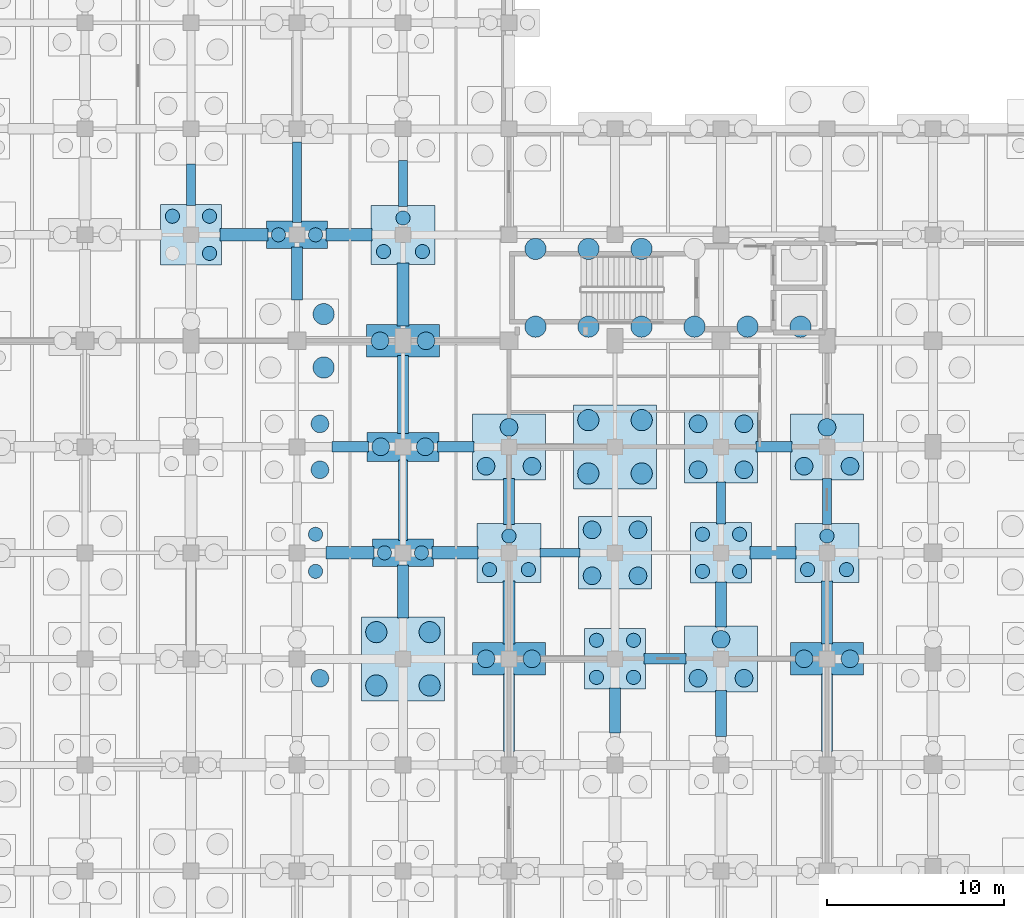
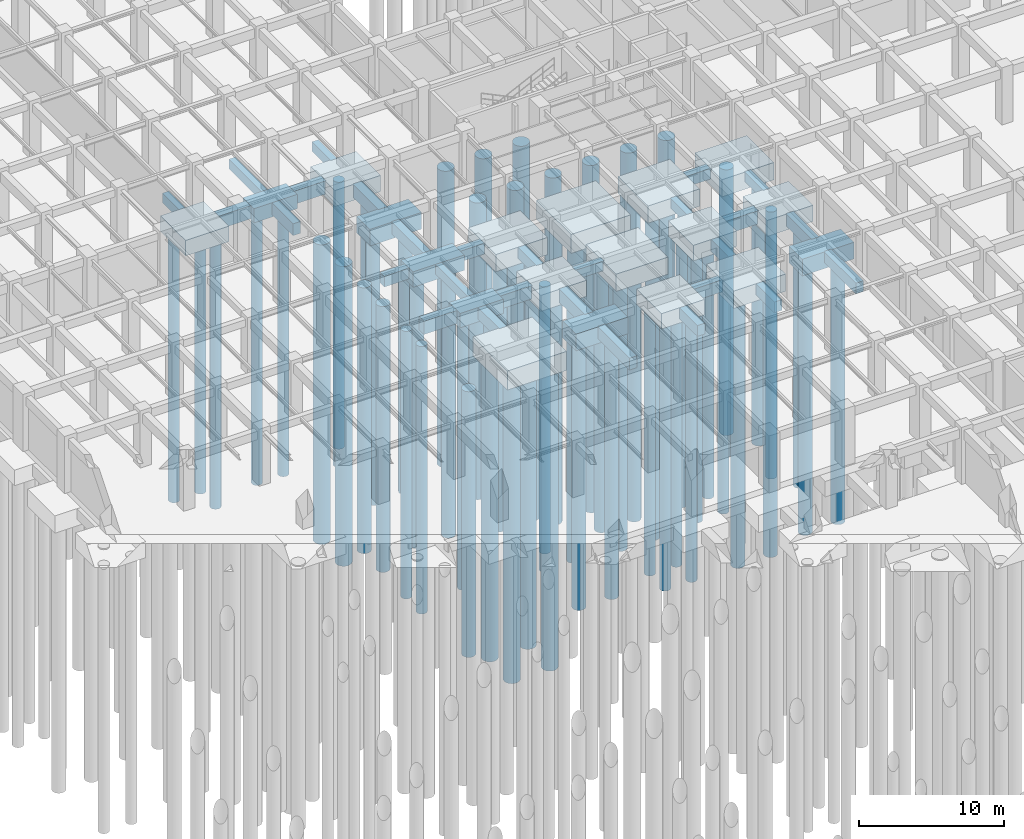
# One storey, part 10 of 54: 73 piles, 47 footings.
"""IFC4 building model written with IfcOpenShell, lengths in metres."""

from ifc_helpers import new_model, si_unit, direction, frame, origin, origin_2d, place, context, subcontext, project, spatial, rectangle, circle, extrude, material, material_profile, profile_set, type_object, element, save


model = new_model("IFC4")

# Units and contexts
model_context = context("Model", 3, precision=1e-05, world=origin(), true_north=direction((0.0, 1.0)))
body_context = subcontext(model_context, "Body", "Model", "MODEL_VIEW")
ifc_project = project(units=[si_unit("LENGTHUNIT", "METRE"), si_unit("AREAUNIT", "SQUARE_METRE"), si_unit("VOLUMEUNIT", "CUBIC_METRE"), si_unit("PLANEANGLEUNIT", "RADIAN"), si_unit("MASSUNIT", "GRAM", prefix="KILO"), si_unit("THERMODYNAMICTEMPERATUREUNIT", "KELVIN"), si_unit("POWERUNIT", "WATT")], contexts=[model_context])

# Site, building, storey
site_placement = place(None, origin())
site = spatial("IfcSite", under=ifc_project, at=site_placement, CompositionType="ELEMENT")
building_placement = place(site_placement, origin())
building = spatial("IfcBuilding", under=site, at=building_placement, Name="Phaisarnlok Congress Hotel", CompositionType="ELEMENT")
storey_placement = place(building_placement, frame((0.0, 0.0, -4.800048828125)))
storey = spatial("IfcBuildingStorey", under=building, at=storey_placement, Name="B01", CompositionType="ELEMENT", Elevation=-4.800048828125)

# Footings
ifc_material_1 = material(Name="Concrete C40/50", Category="concrete")
footing_type_1 = type_object("IfcFootingType", Name="CAP-2P-A", PredefinedType="PILE_CAP", material=ifc_material_1)
for number, where, z_axis, x_axis, name in (
    (1, (30.0, 90.0, -1.69970703125), (0.0, 0.0, 1.0), (1.0, 0.0, 0.0), "Pile cap PC-01 at (30,90)"),
    (2, (36.0, 72.0, -1.69970703125), (0.0, 0.0, 1.0), (1.0, 0.0, 0.0), "Pile cap PC-01 at (36,72)"),
):
    element("IfcFooting", number, at=place(storey_placement, frame(where, z_axis=z_axis, x_axis=x_axis)), inside=storey, type_object=footing_type_1, Name=name, PredefinedType="PILE_CAP", context=body_context, shape_type="SweptSolid", body=[
        extrude(rectangle(XDim=3.43994140625, YDim=1.5400390625, at=origin_2d()), origin(), (0.0, 0.0, 1.0), 1.199951171875),
    ])
footing_type_2 = type_object("IfcFootingType", Name="CAP-2P-B", PredefinedType="PILE_CAP", material=ifc_material_1)
footing_1_placement = place(storey_placement, frame((36.0, 78.0, -1.7998046875), z_axis=(0.0, 0.0, 1.0), x_axis=(1.0, 0.0, 0.0)))
element("IfcFooting", 3, at=footing_1_placement, inside=storey, type_object=footing_type_2, Name="Pile cap PC-02 at (36,78)", PredefinedType="PILE_CAP", context=body_context, shape_type="SweptSolid", body=[
    extrude(rectangle(XDim=4.080078125, YDim=1.639892578125, at=origin_2d()), origin(), (0.0, 0.0, 1.0), 1.300048828125),
])
footing_type_3 = type_object("IfcFootingType", Name="CAP-2P-C", PredefinedType="PILE_CAP", material=ifc_material_1)
for number, where, z_axis, x_axis, name in (
    (4, (36.0, 84.0, -1.89990234375), (0.0, 0.0, 1.0), (1.0, 0.0, 0.0), "Pile cap PC-03 at (36,84)"),
    (5, (42.0, 66.0, -1.89990234375), (0.0, 0.0, 1.0), (1.0, 0.0, 0.0), "Pile cap PC-03 at (42,66)"),
    (6, (60.0, 66.0, -1.89990234375), (0.0, 0.0, 1.0), (1.0, 0.0, 0.0), "Pile cap PC-03 at (60,66)"),
):
    element("IfcFooting", number, at=place(storey_placement, frame(where, z_axis=z_axis, x_axis=x_axis)), inside=storey, type_object=footing_type_3, Name=name, PredefinedType="PILE_CAP", context=body_context, shape_type="SweptSolid", body=[
        extrude(rectangle(XDim=4.1201171875, YDim=1.840087890625, at=origin_2d()), origin(), (0.0, 0.0, 1.0), 1.39990234375),
    ])
footing_type_4 = type_object("IfcFootingType", Name="CAP-3P-A", PredefinedType="PILE_CAP", material=ifc_material_1)
for number, where, z_axis, x_axis, name in (
    (7, (36.0, 90.0, -1.85009765625), (0.0, 0.0, 1.0), (1.0, 0.0, 0.0), "Pile cap PC-04 at (36,90)"),
    (8, (42.0, 72.0, -1.85009765625), (0.0, 0.0, 1.0), (1.0, 0.0, 0.0), "Pile cap PC-04 at (42,72)"),
    (9, (60.0, 72.0, -1.85009765625), (0.0, 0.0, 1.0), (1.0, 0.0, 0.0), "Pile cap PC-04 at (60,72)"),
):
    element("IfcFooting", number, at=place(storey_placement, frame(where, z_axis=z_axis, x_axis=x_axis)), inside=storey, type_object=footing_type_4, Name=name, PredefinedType="PILE_CAP", context=body_context, shape_type="SweptSolid", body=[
        extrude(rectangle(XDim=3.639892578125, YDim=3.340087890625, at=origin_2d()), origin(), (0.0, 0.0, 1.0), 1.35009765625),
    ])
footing_type_5 = type_object("IfcFootingType", Name="CAP-3P-B", PredefinedType="PILE_CAP", material=ifc_material_1)
for number, where, z_axis, x_axis, name in (
    (10, (42.0, 78.0, -1.94970703125), (0.0, 0.0, 1.0), (1.0, 0.0, 0.0), "Pile cap PC-05 at (42,78)"),
    (11, (54.0, 66.0, -1.94970703125), (0.0, 0.0, 1.0), (1.0, 0.0, 0.0), "Pile cap PC-05 at (54,66)"),
    (12, (60.0, 78.0, -1.94970703125), (0.0, 0.0, 1.0), (1.0, 0.0, 0.0), "Pile cap PC-05 at (60,78)"),
):
    element("IfcFooting", number, at=place(storey_placement, frame(where, z_axis=z_axis, x_axis=x_axis)), inside=storey, type_object=footing_type_5, Name=name, PredefinedType="PILE_CAP", context=body_context, shape_type="SweptSolid", body=[
        extrude(rectangle(XDim=4.1201171875, YDim=3.739990234375, at=origin_2d()), origin(), (0.0, 0.0, 1.0), 1.449951171875),
    ])
footing_type_6 = type_object("IfcFootingType", Name="CAP-4P-A", PredefinedType="PILE_CAP", material=ifc_material_1)
for number, where, z_axis, x_axis, name in (
    (13, (24.0, 90.0, -1.7998046875), (0.0, 0.0, 1.0), (1.0, 0.0, 0.0), "Pile cap PC-06 at (24,90)"),
    (14, (48.0, 66.0, -1.7998046875), (0.0, 0.0, 1.0), (1.0, 0.0, 0.0), "Pile cap PC-06 at (48,66)"),
    (15, (54.0, 72.0, -1.7998046875), (0.0, 0.0, 1.0), (1.0, 0.0, 0.0), "Pile cap PC-06 at (54,72)"),
):
    element("IfcFooting", number, at=place(storey_placement, frame(where, z_axis=z_axis, x_axis=x_axis)), inside=storey, type_object=footing_type_6, Name=name, PredefinedType="PILE_CAP", context=body_context, shape_type="SweptSolid", body=[
        extrude(rectangle(XDim=3.43994140625, YDim=3.43994140625, at=origin_2d()), origin(), (0.0, 0.0, 1.0), 1.300048828125),
    ])
footing_type_7 = type_object("IfcFootingType", Name="CAP-4P-B", PredefinedType="PILE_CAP", material=ifc_material_1)
for number, where, z_axis, x_axis, name in (
    (16, (48.0, 72.0, -1.94970703125), (0.0, 0.0, 1.0), (1.0, 0.0, 0.0), "Pile cap PC-07 at (48,72)"),
    (17, (54.0, 78.0, -1.94970703125), (0.0, 0.0, 1.0), (1.0, 0.0, 0.0), "Pile cap PC-07 at (54,78)"),
):
    element("IfcFooting", number, at=place(storey_placement, frame(where, z_axis=z_axis, x_axis=x_axis)), inside=storey, type_object=footing_type_7, Name=name, PredefinedType="PILE_CAP", context=body_context, shape_type="SweptSolid", body=[
        extrude(rectangle(XDim=4.1201171875, YDim=4.1201171875, at=origin_2d()), origin(), (0.0, 0.0, 1.0), 1.449951171875),
    ])
footing_type_8 = type_object("IfcFootingType", Name="CAP-4P-C", PredefinedType="PILE_CAP", material=ifc_material_1)
for number, where, z_axis, x_axis, name in (
    (18, (36.0, 66.0, -2.10009765625), (0.0, 0.0, 1.0), (1.0, 0.0, 0.0), "Pile cap PC-08 at (36,66)"),
    (19, (48.0, 78.0, -2.10009765625), (0.0, 0.0, 1.0), (1.0, 0.0, 0.0), "Pile cap PC-08 at (48,78)"),
):
    element("IfcFooting", number, at=place(storey_placement, frame(where, z_axis=z_axis, x_axis=x_axis)), inside=storey, type_object=footing_type_8, Name=name, PredefinedType="PILE_CAP", context=body_context, shape_type="SweptSolid", body=[
        extrude(rectangle(XDim=4.719970703125, YDim=4.760009765625, at=origin_2d()), origin(), (0.0, 0.0, 1.0), 1.60009765625),
    ])
ifc_material_profile_1 = material_profile(ifc_material_1, rectangle(XDim=0.5, YDim=0.800048828125, at=origin_2d()), Name="FB-500x800")
ifc_profile_set_1 = profile_set([ifc_material_profile_1], Name="Concrete C40/50")
footing_type_9 = type_object("IfcFootingType", Name="FB-500x800", PredefinedType="FOOTING_BEAM", material=ifc_profile_set_1)
footing_2_placement = place(storey_placement, frame((24.0, 91.64501953125, -0.89990234375), z_axis=(0.0, 1.0, 0.0), x_axis=(-1.0, 0.0, 0.0)))
element("IfcFooting", 20, at=footing_2_placement, inside=storey, type_object=footing_type_9, Name="Ground tie beam FB-01", PredefinedType="FOOTING_BEAM", context=body_context, shape_type="SweptSolid", body=[
    extrude(rectangle(XDim=0.5, YDim=0.800048828125, at=origin_2d()), origin(), (0.0, 0.0, 1.0), 2.369873046875),
])
for number, where, z_axis, x_axis, name in (
    (21, (30.0, 90.695068359375, -0.89990234375), (0.0, 1.0, 0.0), (-1.0, 0.0, 0.0), "Ground tie beam FB-01"),
    (22, (36.0, 72.695068359375, -0.89990234375), (0.0, 1.0, 0.0), (-1.0, 0.0, 0.0), "Ground tie beam FB-01"),
):
    element("IfcFooting", number, at=place(storey_placement, frame(where, z_axis=z_axis, x_axis=x_axis)), inside=storey, type_object=footing_type_9, Name=name, PredefinedType="FOOTING_BEAM", context=body_context, shape_type="SweptSolid", body=[
        extrude(rectangle(XDim=0.5, YDim=0.800048828125, at=origin_2d()), origin(), (0.0, 0.0, 1.0), 4.559814453125),
    ])
footing_3_placement = place(storey_placement, frame((36.0, 91.594970703125, -0.89990234375), z_axis=(0.0, 1.0, 0.0), x_axis=(-1.0, 0.0, 0.0)))
element("IfcFooting", 23, at=footing_3_placement, inside=storey, type_object=footing_type_9, Name="Ground tie beam FB-01", PredefinedType="FOOTING_BEAM", context=body_context, shape_type="SweptSolid", body=[
    extrude(rectangle(XDim=0.5, YDim=0.800048828125, at=origin_2d()), origin(), (0.0, 0.0, 1.0), 2.610107421875),
])
footing_4_placement = place(storey_placement, frame((43.7451171875, 72.0, -0.89990234375), z_axis=(1.0, 0.0, 0.0), x_axis=(0.0, 1.0, 0.0)))
element("IfcFooting", 24, at=footing_4_placement, inside=storey, type_object=footing_type_9, Name="Ground tie beam FB-01", PredefinedType="FOOTING_BEAM", context=body_context, shape_type="SweptSolid", body=[
    extrude(rectangle(XDim=0.5, YDim=0.800048828125, at=origin_2d()), origin(), (0.0, 0.0, 1.0), 2.269775390625),
])
footing_5_placement = place(storey_placement, frame((54.0, 73.64501953125, -0.89990234375), z_axis=(0.0, 1.0, 0.0), x_axis=(-1.0, 0.0, 0.0)))
element("IfcFooting", 25, at=footing_5_placement, inside=storey, type_object=footing_type_9, Name="Ground tie beam FB-01", PredefinedType="FOOTING_BEAM", context=body_context, shape_type="SweptSolid", body=[
    extrude(rectangle(XDim=0.5, YDim=0.800048828125, at=origin_2d()), origin(), (0.0, 0.0, 1.0), 2.369873046875),
])
footing_6_placement = place(storey_placement, frame((60.0, 73.594970703125, -0.89990234375), z_axis=(0.0, 1.0, 0.0), x_axis=(-1.0, 0.0, 0.0)))
element("IfcFooting", 26, at=footing_6_placement, inside=storey, type_object=footing_type_9, Name="Ground tie beam FB-01", PredefinedType="FOOTING_BEAM", context=body_context, shape_type="SweptSolid", body=[
    extrude(rectangle(XDim=0.5, YDim=0.800048828125, at=origin_2d()), origin(), (0.0, 0.0, 1.0), 2.610107421875),
])
ifc_material_profile_2 = material_profile(ifc_material_1, rectangle(XDim=0.60009765625, YDim=1.0, at=origin_2d()), Name="FB-600x1000")
ifc_profile_set_2 = profile_set([ifc_material_profile_2], Name="Concrete C40/50")
footing_type_10 = type_object("IfcFootingType", Name="FB-600x1000", PredefinedType="FOOTING_BEAM", material=ifc_profile_set_2)
for number, where, z_axis, x_axis, name in (
    (27, (30.0, 86.304931640625, -1.0), (0.0, 1.0, 0.0), (-1.0, 0.0, 0.0), "Ground tie beam FB-03"),
    (28, (36.0, 68.304931640625, -1.0), (0.0, 1.0, 0.0), (-1.0, 0.0, 0.0), "Ground tie beam FB-03"),
):
    element("IfcFooting", number, at=place(storey_placement, frame(where, z_axis=z_axis, x_axis=x_axis)), inside=storey, type_object=footing_type_10, Name=name, PredefinedType="FOOTING_BEAM", context=body_context, shape_type="SweptSolid", body=[
        extrude(rectangle(XDim=0.60009765625, YDim=1.0, at=origin_2d()), origin(), (0.0, 0.0, 1.0), 3.0),
    ])
for number, where, z_axis, x_axis, name in (
    (29, (36.0, 78.7451171875, -1.0), (0.0, 1.0, 0.0), (-1.0, 0.0, 0.0), "Ground tie beam FB-03"),
    (30, (42.0, 60.7451171875, -1.0), (0.0, 1.0, 0.0), (-1.0, 0.0, 0.0), "Ground tie beam FB-03"),
):
    element("IfcFooting", number, at=place(storey_placement, frame(where, z_axis=z_axis, x_axis=x_axis)), inside=storey, type_object=footing_type_10, Name=name, PredefinedType="FOOTING_BEAM", context=body_context, shape_type="SweptSolid", body=[
        extrude(rectangle(XDim=0.60009765625, YDim=1.0, at=origin_2d()), origin(), (0.0, 0.0, 1.0), 4.409912109375),
    ])
footing_7_placement = place(storey_placement, frame((49.64501953125, 66.0, -1.0), z_axis=(1.0, 0.0, 0.0), x_axis=(0.0, 1.0, 0.0)))
element("IfcFooting", 31, at=footing_7_placement, inside=storey, type_object=footing_type_10, Name="Ground tie beam FB-03", PredefinedType="FOOTING_BEAM", context=body_context, shape_type="SweptSolid", body=[
    extrude(rectangle(XDim=0.60009765625, YDim=1.0, at=origin_2d()), origin(), (0.0, 0.0, 1.0), 2.369873046875),
])
footing_8_placement = place(storey_placement, frame((54.0, 67.794921875, -1.0), z_axis=(0.0, 1.0, 0.0), x_axis=(-1.0, 0.0, 0.0)))
element("IfcFooting", 32, at=footing_8_placement, inside=storey, type_object=footing_type_10, Name="Ground tie beam FB-03", PredefinedType="FOOTING_BEAM", context=body_context, shape_type="SweptSolid", body=[
    extrude(rectangle(XDim=0.60009765625, YDim=1.0, at=origin_2d()), origin(), (0.0, 0.0, 1.0), 2.56005859375),
])
footing_9_placement = place(storey_placement, frame((60.0, 66.844970703125, -1.0), z_axis=(0.0, 1.0, 0.0), x_axis=(-1.0, 0.0, 0.0)))
element("IfcFooting", 33, at=footing_9_placement, inside=storey, type_object=footing_type_10, Name="Ground tie beam FB-03", PredefinedType="FOOTING_BEAM", context=body_context, shape_type="SweptSolid", body=[
    extrude(rectangle(XDim=0.60009765625, YDim=1.0, at=origin_2d()), origin(), (0.0, 0.0, 1.0), 3.56005859375),
])
ifc_material_profile_3 = material_profile(ifc_material_1, rectangle(XDim=0.60009765625, YDim=0.89990234375, at=origin_2d()), Name="FB-600x900")
ifc_profile_set_3 = profile_set([ifc_material_profile_3], Name="Concrete C40/50")
footing_type_11 = type_object("IfcFootingType", Name="FB-600x900", PredefinedType="FOOTING_BEAM", material=ifc_profile_set_3)
for number, where, z_axis, x_axis, name in (
    (34, (31.985107421875, 78.0, -0.949951171875), (1.0, 0.0, 0.0), (0.0, 1.0, 0.0), "Ground tie beam FB-02"),
    (35, (37.965087890625, 78.0, -0.949951171875), (1.0, 0.0, 0.0), (0.0, 1.0, 0.0), "Ground tie beam FB-02"),
):
    element("IfcFooting", number, at=place(storey_placement, frame(where, z_axis=z_axis, x_axis=x_axis)), inside=storey, type_object=footing_type_11, Name=name, PredefinedType="FOOTING_BEAM", context=body_context, shape_type="SweptSolid", body=[
        extrude(rectangle(XDim=0.60009765625, YDim=0.89990234375, at=origin_2d()), origin(), (0.0, 0.0, 1.0), 2.0498046875),
    ])
footing_10_placement = place(storey_placement, frame((42.0, 73.594970703125, -0.949951171875), z_axis=(0.0, 1.0, 0.0), x_axis=(-1.0, 0.0, 0.0)))
element("IfcFooting", 36, at=footing_10_placement, inside=storey, type_object=footing_type_11, Name="Ground tie beam FB-02", PredefinedType="FOOTING_BEAM", context=body_context, shape_type="SweptSolid", body=[
    extrude(rectangle(XDim=0.60009765625, YDim=0.89990234375, at=origin_2d()), origin(), (0.0, 0.0, 1.0), 2.610107421875),
])
footing_11_placement = place(storey_placement, frame((48.0, 61.794921875, -0.949951171875), z_axis=(0.0, 1.0, 0.0), x_axis=(-1.0, 0.0, 0.0)))
element("IfcFooting", 37, at=footing_11_placement, inside=storey, type_object=footing_type_11, Name="Ground tie beam FB-02", PredefinedType="FOOTING_BEAM", context=body_context, shape_type="SweptSolid", body=[
    extrude(rectangle(XDim=0.60009765625, YDim=0.89990234375, at=origin_2d()), origin(), (0.0, 0.0, 1.0), 2.56005859375),
])
footing_12_placement = place(storey_placement, frame((54.0, 61.594970703125, -0.949951171875), z_axis=(0.0, 1.0, 0.0), x_axis=(-1.0, 0.0, 0.0)))
element("IfcFooting", 38, at=footing_12_placement, inside=storey, type_object=footing_type_11, Name="Ground tie beam FB-02", PredefinedType="FOOTING_BEAM", context=body_context, shape_type="SweptSolid", body=[
    extrude(rectangle(XDim=0.60009765625, YDim=0.89990234375, at=origin_2d()), origin(), (0.0, 0.0, 1.0), 2.610107421875),
])
footing_13_placement = place(storey_placement, frame((55.985107421875, 78.0, -0.949951171875), z_axis=(1.0, 0.0, 0.0), x_axis=(0.0, 1.0, 0.0)))
element("IfcFooting", 39, at=footing_13_placement, inside=storey, type_object=footing_type_11, Name="Ground tie beam FB-02", PredefinedType="FOOTING_BEAM", context=body_context, shape_type="SweptSolid", body=[
    extrude(rectangle(XDim=0.60009765625, YDim=0.89990234375, at=origin_2d()), origin(), (0.0, 0.0, 1.0), 2.02978515625),
])
footing_14_placement = place(storey_placement, frame((60.0, 60.7451171875, -0.949951171875), z_axis=(0.0, 1.0, 0.0), x_axis=(-1.0, 0.0, 0.0)))
element("IfcFooting", 40, at=footing_14_placement, inside=storey, type_object=footing_type_11, Name="Ground tie beam FB-02", PredefinedType="FOOTING_BEAM", context=body_context, shape_type="SweptSolid", body=[
    extrude(rectangle(XDim=0.60009765625, YDim=0.89990234375, at=origin_2d()), origin(), (0.0, 0.0, 1.0), 4.409912109375),
])
ifc_material_profile_4 = material_profile(ifc_material_1, rectangle(XDim=0.699951171875, YDim=1.10009765625, at=origin_2d()), Name="FB-700x1100")
ifc_profile_set_4 = profile_set([ifc_material_profile_4], Name="Concrete C40/50")
footing_type_12 = type_object("IfcFootingType", Name="FB-700x1100", PredefinedType="FOOTING_BEAM", material=ifc_profile_set_4)
for number, where, z_axis, x_axis, name in (
    (41, (25.64501953125, 90.0, -1.050048828125), (1.0, 0.0, 0.0), (0.0, 1.0, 0.0), "Ground tie beam FB-04"),
    (42, (31.64501953125, 72.0, -1.050048828125), (1.0, 0.0, 0.0), (0.0, 1.0, 0.0), "Ground tie beam FB-04"),
):
    element("IfcFooting", number, at=place(storey_placement, frame(where, z_axis=z_axis, x_axis=x_axis)), inside=storey, type_object=footing_type_12, Name=name, PredefinedType="FOOTING_BEAM", context=body_context, shape_type="SweptSolid", body=[
        extrude(rectangle(XDim=0.699951171875, YDim=1.10009765625, at=origin_2d()), origin(), (0.0, 0.0, 1.0), 2.7099609375),
    ])
for number, where, z_axis, x_axis, name in (
    (43, (31.64501953125, 90.0, -1.050048828125), (1.0, 0.0, 0.0), (0.0, 1.0, 0.0), "Ground tie beam FB-04"),
    (44, (37.64501953125, 72.0, -1.050048828125), (1.0, 0.0, 0.0), (0.0, 1.0, 0.0), "Ground tie beam FB-04"),
):
    element("IfcFooting", number, at=place(storey_placement, frame(where, z_axis=z_axis, x_axis=x_axis)), inside=storey, type_object=footing_type_12, Name=name, PredefinedType="FOOTING_BEAM", context=body_context, shape_type="SweptSolid", body=[
        extrude(rectangle(XDim=0.699951171875, YDim=1.10009765625, at=origin_2d()), origin(), (0.0, 0.0, 1.0), 2.60986328125),
    ])
for number, where, z_axis, x_axis, name in (
    (45, (36.0, 84.844970703125, -1.050048828125), (0.0, 1.0, 0.0), (-1.0, 0.0, 0.0), "Ground tie beam FB-04"),
    (46, (42.0, 66.844970703125, -1.050048828125), (0.0, 1.0, 0.0), (-1.0, 0.0, 0.0), "Ground tie beam FB-04"),
):
    element("IfcFooting", number, at=place(storey_placement, frame(where, z_axis=z_axis, x_axis=x_axis)), inside=storey, type_object=footing_type_12, Name=name, PredefinedType="FOOTING_BEAM", context=body_context, shape_type="SweptSolid", body=[
        extrude(rectangle(XDim=0.699951171875, YDim=1.10009765625, at=origin_2d()), origin(), (0.0, 0.0, 1.0), 3.56005859375),
    ])
footing_15_placement = place(storey_placement, frame((55.64501953125, 72.0, -1.050048828125), z_axis=(1.0, 0.0, 0.0), x_axis=(0.0, 1.0, 0.0)))
element("IfcFooting", 47, at=footing_15_placement, inside=storey, type_object=footing_type_12, Name="Ground tie beam FB-04", PredefinedType="FOOTING_BEAM", context=body_context, shape_type="SweptSolid", body=[
    extrude(rectangle(XDim=0.699951171875, YDim=1.10009765625, at=origin_2d()), origin(), (0.0, 0.0, 1.0), 2.60986328125),
])

# Piles
ifc_material_2 = material(Name="Concrete C35/45", Category="concrete")
ifc_material_profile_5 = material_profile(ifc_material_2, circle(Radius=0.5, at=origin_2d()), Name="BORED PILE D1000")
ifc_profile_set_5 = profile_set([ifc_material_profile_5], Name="Concrete C35/45")
pile_type_1 = type_object("IfcPileType", Name="PILE-D1000", PredefinedType="BORED", material=ifc_profile_set_5)
for number, where, z_axis, x_axis, name in (
    (48, (31.300048828125, 64.89990234375, -1.849853515625), (0.0, 0.0, -1.0), (1.0, 0.0, 0.0), "Bored pile PL-02 (FTG-B01-030-066-2)"),
    (49, (31.300048828125, 76.699951171875, -1.849853515625), (0.0, 0.0, -1.0), (1.0, 0.0, 0.0), "Bored pile PL-02 (FTG-B01-030-078-2)"),
    (50, (31.300048828125, 79.300048828125, -1.849853515625), (0.0, 0.0, -1.0), (1.0, 0.0, 0.0), "Bored pile PL-02 (FTG-B01-030-078-4)"),
):
    element("IfcPile", number, at=place(storey_placement, frame(where, z_axis=z_axis, x_axis=x_axis)), inside=storey, type_object=pile_type_1, Name=name, PredefinedType="BORED", context=body_context, shape_type="SweptSolid", body=[
        extrude(circle(Radius=0.5, at=origin_2d()), origin(), (0.0, 0.0, 1.0), 22.35009765625),
    ])
for number, where, z_axis, x_axis, name in (
    (51, (34.739990234375, 78.0, -1.699951171875), (0.0, 0.0, -1.0), (1.0, 0.0, 0.0), "Bored pile PL-02 (FTG-B01-036-078-1)"),
    (52, (37.260009765625, 78.0, -1.699951171875), (0.0, 0.0, -1.0), (1.0, 0.0, 0.0), "Bored pile PL-02 (FTG-B01-036-078-2)"),
):
    element("IfcPile", number, at=place(storey_placement, frame(where, z_axis=z_axis, x_axis=x_axis)), inside=storey, type_object=pile_type_1, Name=name, PredefinedType="BORED", context=body_context, shape_type="SweptSolid", body=[
        extrude(circle(Radius=0.5, at=origin_2d()), origin(), (0.0, 0.0, 1.0), 22.5),
    ])
for number, where, z_axis, x_axis, name in (
    (53, (34.699951171875, 84.0, -1.800048828125), (0.0, 0.0, -1.0), (1.0, 0.0, 0.0), "Bored pile PL-02 (FTG-B01-036-084-1)"),
    (54, (37.300048828125, 84.0, -1.800048828125), (0.0, 0.0, -1.0), (1.0, 0.0, 0.0), "Bored pile PL-02 (FTG-B01-036-084-2)"),
    (55, (40.699951171875, 66.0, -1.800048828125), (0.0, 0.0, -1.0), (1.0, 0.0, 0.0), "Bored pile PL-02 (FTG-B01-042-066-1)"),
    (56, (43.300048828125, 66.0, -1.800048828125), (0.0, 0.0, -1.0), (1.0, 0.0, 0.0), "Bored pile PL-02 (FTG-B01-042-066-2)"),
):
    element("IfcPile", number, at=place(storey_placement, frame(where, z_axis=z_axis, x_axis=x_axis)), inside=storey, type_object=pile_type_1, Name=name, PredefinedType="BORED", context=body_context, shape_type="SweptSolid", body=[
        extrude(circle(Radius=0.5, at=origin_2d()), origin(), (0.0, 0.0, 1.0), 22.39990234375),
    ])
for number, where, z_axis, x_axis, name in (
    (57, (40.699951171875, 76.89990234375, -1.849853515625), (0.0, 0.0, -1.0), (1.0, 0.0, 0.0), "Bored pile PL-02 (FTG-B01-042-078-1)"),
    (58, (43.300048828125, 76.89990234375, -1.849853515625), (0.0, 0.0, -1.0), (1.0, 0.0, 0.0), "Bored pile PL-02 (FTG-B01-042-078-2)"),
    (59, (42.0, 79.10009765625, -1.849853515625), (0.0, 0.0, -1.0), (1.0, 0.0, 0.0), "Bored pile PL-02 (FTG-B01-042-078-3)"),
    (60, (46.699951171875, 70.699951171875, -1.849853515625), (0.0, 0.0, -1.0), (1.0, 0.0, 0.0), "Bored pile PL-02 (FTG-B01-048-072-1)"),
    (61, (49.300048828125, 70.699951171875, -1.849853515625), (0.0, 0.0, -1.0), (1.0, 0.0, 0.0), "Bored pile PL-02 (FTG-B01-048-072-2)"),
    (62, (46.699951171875, 73.300048828125, -1.849853515625), (0.0, 0.0, -1.0), (1.0, 0.0, 0.0), "Bored pile PL-02 (FTG-B01-048-072-3)"),
    (63, (49.300048828125, 73.300048828125, -1.849853515625), (0.0, 0.0, -1.0), (1.0, 0.0, 0.0), "Bored pile PL-02 (FTG-B01-048-072-4)"),
    (64, (52.699951171875, 64.89990234375, -1.849853515625), (0.0, 0.0, -1.0), (1.0, 0.0, 0.0), "Bored pile PL-02 (FTG-B01-054-066-1)"),
    (65, (55.300048828125, 64.89990234375, -1.849853515625), (0.0, 0.0, -1.0), (1.0, 0.0, 0.0), "Bored pile PL-02 (FTG-B01-054-066-2)"),
    (66, (54.0, 67.10009765625, -1.849853515625), (0.0, 0.0, -1.0), (1.0, 0.0, 0.0), "Bored pile PL-02 (FTG-B01-054-066-3)"),
    (67, (52.699951171875, 76.699951171875, -1.849853515625), (0.0, 0.0, -1.0), (1.0, 0.0, 0.0), "Bored pile PL-02 (FTG-B01-054-078-1)"),
    (68, (55.300048828125, 76.699951171875, -1.849853515625), (0.0, 0.0, -1.0), (1.0, 0.0, 0.0), "Bored pile PL-02 (FTG-B01-054-078-2)"),
    (69, (52.699951171875, 79.300048828125, -1.849853515625), (0.0, 0.0, -1.0), (1.0, 0.0, 0.0), "Bored pile PL-02 (FTG-B01-054-078-3)"),
    (70, (55.300048828125, 79.300048828125, -1.849853515625), (0.0, 0.0, -1.0), (1.0, 0.0, 0.0), "Bored pile PL-02 (FTG-B01-054-078-4)"),
):
    element("IfcPile", number, at=place(storey_placement, frame(where, z_axis=z_axis, x_axis=x_axis)), inside=storey, type_object=pile_type_1, Name=name, PredefinedType="BORED", context=body_context, shape_type="SweptSolid", body=[
        extrude(circle(Radius=0.5, at=origin_2d()), origin(), (0.0, 0.0, 1.0), 22.35009765625),
    ])
for number, where, z_axis, x_axis, name in (
    (71, (58.699951171875, 66.0, -1.800048828125), (0.0, 0.0, -1.0), (1.0, 0.0, 0.0), "Bored pile PL-02 (FTG-B01-060-066-1)"),
    (72, (61.300048828125, 66.0, -1.800048828125), (0.0, 0.0, -1.0), (1.0, 0.0, 0.0), "Bored pile PL-02 (FTG-B01-060-066-2)"),
):
    element("IfcPile", number, at=place(storey_placement, frame(where, z_axis=z_axis, x_axis=x_axis)), inside=storey, type_object=pile_type_1, Name=name, PredefinedType="BORED", context=body_context, shape_type="SweptSolid", body=[
        extrude(circle(Radius=0.5, at=origin_2d()), origin(), (0.0, 0.0, 1.0), 22.39990234375),
    ])
for number, where, z_axis, x_axis, name in (
    (73, (58.699951171875, 76.89990234375, -1.849853515625), (0.0, 0.0, -1.0), (1.0, 0.0, 0.0), "Bored pile PL-02 (FTG-B01-060-078-1)"),
    (74, (61.300048828125, 76.89990234375, -1.849853515625), (0.0, 0.0, -1.0), (1.0, 0.0, 0.0), "Bored pile PL-02 (FTG-B01-060-078-2)"),
    (75, (60.0, 79.10009765625, -1.849853515625), (0.0, 0.0, -1.0), (1.0, 0.0, 0.0), "Bored pile PL-02 (FTG-B01-060-078-3)"),
):
    element("IfcPile", number, at=place(storey_placement, frame(where, z_axis=z_axis, x_axis=x_axis)), inside=storey, type_object=pile_type_1, Name=name, PredefinedType="BORED", context=body_context, shape_type="SweptSolid", body=[
        extrude(circle(Radius=0.5, at=origin_2d()), origin(), (0.0, 0.0, 1.0), 22.35009765625),
    ])
ifc_material_profile_6 = material_profile(ifc_material_2, circle(Radius=0.60009765625, at=origin_2d()), Name="BORED PILE D1200")
ifc_profile_set_6 = profile_set([ifc_material_profile_6], Name="Concrete C35/45")
pile_type_2 = type_object("IfcPileType", Name="PILE-D1200", PredefinedType="BORED", material=ifc_profile_set_6)
for number, where, z_axis, x_axis, name in (
    (76, (43.5, 84.800048828125, -2.25), (0.0, 0.0, -1.0), (1.0, 0.0, 0.0), "Bored pile PL-03 (CORE-5-01)"),
    (77, (43.5, 89.199951171875, -2.25), (0.0, 0.0, -1.0), (1.0, 0.0, 0.0), "Bored pile PL-03 (CORE-5-02)"),
    (78, (46.5, 84.800048828125, -2.25), (0.0, 0.0, -1.0), (1.0, 0.0, 0.0), "Bored pile PL-03 (CORE-5-03)"),
    (79, (46.5, 89.199951171875, -2.25), (0.0, 0.0, -1.0), (1.0, 0.0, 0.0), "Bored pile PL-03 (CORE-5-04)"),
    (80, (49.5, 84.800048828125, -2.25), (0.0, 0.0, -1.0), (1.0, 0.0, 0.0), "Bored pile PL-03 (CORE-5-05)"),
    (81, (49.5, 89.199951171875, -2.25), (0.0, 0.0, -1.0), (1.0, 0.0, 0.0), "Bored pile PL-03 (CORE-5-06)"),
    (82, (52.5, 84.800048828125, -2.25), (0.0, 0.0, -1.0), (1.0, 0.0, 0.0), "Bored pile PL-03 (CORE-5-07)"),
    (83, (55.5, 84.800048828125, -2.25), (0.0, 0.0, -1.0), (1.0, 0.0, 0.0), "Bored pile PL-03 (CORE-5-09)"),
    (84, (58.5, 84.800048828125, -2.25), (0.0, 0.0, -1.0), (1.0, 0.0, 0.0), "Bored pile PL-03 (CORE-5-11)"),
):
    element("IfcPile", number, at=place(storey_placement, frame(where, z_axis=z_axis, x_axis=x_axis)), inside=storey, type_object=pile_type_2, Name=name, PredefinedType="BORED", context=body_context, shape_type="SweptSolid", body=[
        extrude(circle(Radius=0.60009765625, at=origin_2d()), origin(), (0.0, 0.0, 1.0), 24.949951171875),
    ])
for number, where, z_axis, x_axis, name in (
    (85, (31.510009765625, 82.489990234375, -2.0), (0.0, 0.0, -1.0), (1.0, 0.0, 0.0), "Bored pile PL-03 (FTG-B01-030-084-2)"),
    (86, (31.510009765625, 85.510009765625, -2.0), (0.0, 0.0, -1.0), (1.0, 0.0, 0.0), "Bored pile PL-03 (FTG-B01-030-084-4)"),
    (87, (34.489990234375, 64.489990234375, -2.0), (0.0, 0.0, -1.0), (1.0, 0.0, 0.0), "Bored pile PL-03 (FTG-B01-036-066-1)"),
    (88, (37.510009765625, 64.489990234375, -2.0), (0.0, 0.0, -1.0), (1.0, 0.0, 0.0), "Bored pile PL-03 (FTG-B01-036-066-2)"),
    (89, (34.489990234375, 67.510009765625, -2.0), (0.0, 0.0, -1.0), (1.0, 0.0, 0.0), "Bored pile PL-03 (FTG-B01-036-066-3)"),
    (90, (37.510009765625, 67.510009765625, -2.0), (0.0, 0.0, -1.0), (1.0, 0.0, 0.0), "Bored pile PL-03 (FTG-B01-036-066-4)"),
    (91, (46.489990234375, 76.489990234375, -2.0), (0.0, 0.0, -1.0), (1.0, 0.0, 0.0), "Bored pile PL-03 (FTG-B01-048-078-1)"),
    (92, (49.510009765625, 76.489990234375, -2.0), (0.0, 0.0, -1.0), (1.0, 0.0, 0.0), "Bored pile PL-03 (FTG-B01-048-078-2)"),
    (93, (46.489990234375, 79.510009765625, -2.0), (0.0, 0.0, -1.0), (1.0, 0.0, 0.0), "Bored pile PL-03 (FTG-B01-048-078-3)"),
    (94, (49.510009765625, 79.510009765625, -2.0), (0.0, 0.0, -1.0), (1.0, 0.0, 0.0), "Bored pile PL-03 (FTG-B01-048-078-4)"),
):
    element("IfcPile", number, at=place(storey_placement, frame(where, z_axis=z_axis, x_axis=x_axis)), inside=storey, type_object=pile_type_2, Name=name, PredefinedType="BORED", context=body_context, shape_type="SweptSolid", body=[
        extrude(circle(Radius=0.60009765625, at=origin_2d()), origin(), (0.0, 0.0, 1.0), 25.199951171875),
    ])
ifc_material_profile_7 = material_profile(ifc_material_2, circle(Radius=0.39990234375, at=origin_2d()), Name="BORED PILE D800")
ifc_profile_set_7 = profile_set([ifc_material_profile_7], Name="Concrete C35/45")
pile_type_3 = type_object("IfcPileType", Name="PILE-D800", PredefinedType="BORED", material=ifc_profile_set_7)
for number, where, z_axis, x_axis, name in (
    (95, (25.050048828125, 88.949951171875, -1.699951171875), (0.0, 0.0, -1.0), (1.0, 0.0, 0.0), "Bored pile PL-01 (FTG-B01-024-090-2)"),
    (96, (22.949951171875, 91.050048828125, -1.699951171875), (0.0, 0.0, -1.0), (1.0, 0.0, 0.0), "Bored pile PL-01 (FTG-B01-024-090-3)"),
    (97, (25.050048828125, 91.050048828125, -1.699951171875), (0.0, 0.0, -1.0), (1.0, 0.0, 0.0), "Bored pile PL-01 (FTG-B01-024-090-4)"),
    (98, (31.050048828125, 70.949951171875, -1.699951171875), (0.0, 0.0, -1.0), (1.0, 0.0, 0.0), "Bored pile PL-01 (FTG-B01-030-072-2)"),
    (99, (31.050048828125, 73.050048828125, -1.699951171875), (0.0, 0.0, -1.0), (1.0, 0.0, 0.0), "Bored pile PL-01 (FTG-B01-030-072-4)"),
):
    element("IfcPile", number, at=place(storey_placement, frame(where, z_axis=z_axis, x_axis=x_axis)), inside=storey, type_object=pile_type_3, Name=name, PredefinedType="BORED", context=body_context, shape_type="SweptSolid", body=[
        extrude(circle(Radius=0.39990234375, at=origin_2d()), origin(), (0.0, 0.0, 1.0), 22.5),
    ])
for number, where, z_axis, x_axis, name in (
    (100, (28.949951171875, 90.0, -1.599853515625), (0.0, 0.0, -1.0), (1.0, 0.0, 0.0), "Bored pile PL-01 (FTG-B01-030-090-1)"),
    (101, (31.050048828125, 90.0, -1.599853515625), (0.0, 0.0, -1.0), (1.0, 0.0, 0.0), "Bored pile PL-01 (FTG-B01-030-090-2)"),
    (102, (34.949951171875, 72.0, -1.599853515625), (0.0, 0.0, -1.0), (1.0, 0.0, 0.0), "Bored pile PL-01 (FTG-B01-036-072-1)"),
    (103, (37.050048828125, 72.0, -1.599853515625), (0.0, 0.0, -1.0), (1.0, 0.0, 0.0), "Bored pile PL-01 (FTG-B01-036-072-2)"),
):
    element("IfcPile", number, at=place(storey_placement, frame(where, z_axis=z_axis, x_axis=x_axis)), inside=storey, type_object=pile_type_3, Name=name, PredefinedType="BORED", context=body_context, shape_type="SweptSolid", body=[
        extrude(circle(Radius=0.39990234375, at=origin_2d()), origin(), (0.0, 0.0, 1.0), 22.60009765625),
    ])
for number, where, z_axis, x_axis, name in (
    (104, (34.89990234375, 89.050048828125, -1.75), (0.0, 0.0, -1.0), (1.0, 0.0, 0.0), "Bored pile PL-01 (FTG-B01-036-090-1)"),
    (105, (37.10009765625, 89.050048828125, -1.75), (0.0, 0.0, -1.0), (1.0, 0.0, 0.0), "Bored pile PL-01 (FTG-B01-036-090-2)"),
    (106, (36.0, 90.949951171875, -1.75), (0.0, 0.0, -1.0), (1.0, 0.0, 0.0), "Bored pile PL-01 (FTG-B01-036-090-3)"),
    (107, (40.89990234375, 71.050048828125, -1.75), (0.0, 0.0, -1.0), (1.0, 0.0, 0.0), "Bored pile PL-01 (FTG-B01-042-072-1)"),
    (108, (43.10009765625, 71.050048828125, -1.75), (0.0, 0.0, -1.0), (1.0, 0.0, 0.0), "Bored pile PL-01 (FTG-B01-042-072-2)"),
    (109, (42.0, 72.949951171875, -1.75), (0.0, 0.0, -1.0), (1.0, 0.0, 0.0), "Bored pile PL-01 (FTG-B01-042-072-3)"),
):
    element("IfcPile", number, at=place(storey_placement, frame(where, z_axis=z_axis, x_axis=x_axis)), inside=storey, type_object=pile_type_3, Name=name, PredefinedType="BORED", context=body_context, shape_type="SweptSolid", body=[
        extrude(circle(Radius=0.39990234375, at=origin_2d()), origin(), (0.0, 0.0, 1.0), 22.449951171875),
    ])
for number, where, z_axis, x_axis, name in (
    (110, (46.949951171875, 64.949951171875, -1.699951171875), (0.0, 0.0, -1.0), (1.0, 0.0, 0.0), "Bored pile PL-01 (FTG-B01-048-066-1)"),
    (111, (49.050048828125, 64.949951171875, -1.699951171875), (0.0, 0.0, -1.0), (1.0, 0.0, 0.0), "Bored pile PL-01 (FTG-B01-048-066-2)"),
    (112, (46.949951171875, 67.050048828125, -1.699951171875), (0.0, 0.0, -1.0), (1.0, 0.0, 0.0), "Bored pile PL-01 (FTG-B01-048-066-3)"),
    (113, (49.050048828125, 67.050048828125, -1.699951171875), (0.0, 0.0, -1.0), (1.0, 0.0, 0.0), "Bored pile PL-01 (FTG-B01-048-066-4)"),
    (114, (52.949951171875, 70.949951171875, -1.699951171875), (0.0, 0.0, -1.0), (1.0, 0.0, 0.0), "Bored pile PL-01 (FTG-B01-054-072-1)"),
    (115, (55.050048828125, 70.949951171875, -1.699951171875), (0.0, 0.0, -1.0), (1.0, 0.0, 0.0), "Bored pile PL-01 (FTG-B01-054-072-2)"),
    (116, (52.949951171875, 73.050048828125, -1.699951171875), (0.0, 0.0, -1.0), (1.0, 0.0, 0.0), "Bored pile PL-01 (FTG-B01-054-072-3)"),
    (117, (55.050048828125, 73.050048828125, -1.699951171875), (0.0, 0.0, -1.0), (1.0, 0.0, 0.0), "Bored pile PL-01 (FTG-B01-054-072-4)"),
):
    element("IfcPile", number, at=place(storey_placement, frame(where, z_axis=z_axis, x_axis=x_axis)), inside=storey, type_object=pile_type_3, Name=name, PredefinedType="BORED", context=body_context, shape_type="SweptSolid", body=[
        extrude(circle(Radius=0.39990234375, at=origin_2d()), origin(), (0.0, 0.0, 1.0), 22.5),
    ])
for number, where, z_axis, x_axis, name in (
    (118, (58.89990234375, 71.050048828125, -1.75), (0.0, 0.0, -1.0), (1.0, 0.0, 0.0), "Bored pile PL-01 (FTG-B01-060-072-1)"),
    (119, (61.10009765625, 71.050048828125, -1.75), (0.0, 0.0, -1.0), (1.0, 0.0, 0.0), "Bored pile PL-01 (FTG-B01-060-072-2)"),
    (120, (60.0, 72.949951171875, -1.75), (0.0, 0.0, -1.0), (1.0, 0.0, 0.0), "Bored pile PL-01 (FTG-B01-060-072-3)"),
):
    element("IfcPile", number, at=place(storey_placement, frame(where, z_axis=z_axis, x_axis=x_axis)), inside=storey, type_object=pile_type_3, Name=name, PredefinedType="BORED", context=body_context, shape_type="SweptSolid", body=[
        extrude(circle(Radius=0.39990234375, at=origin_2d()), origin(), (0.0, 0.0, 1.0), 22.449951171875),
    ])

save(model, "model.ifc")
